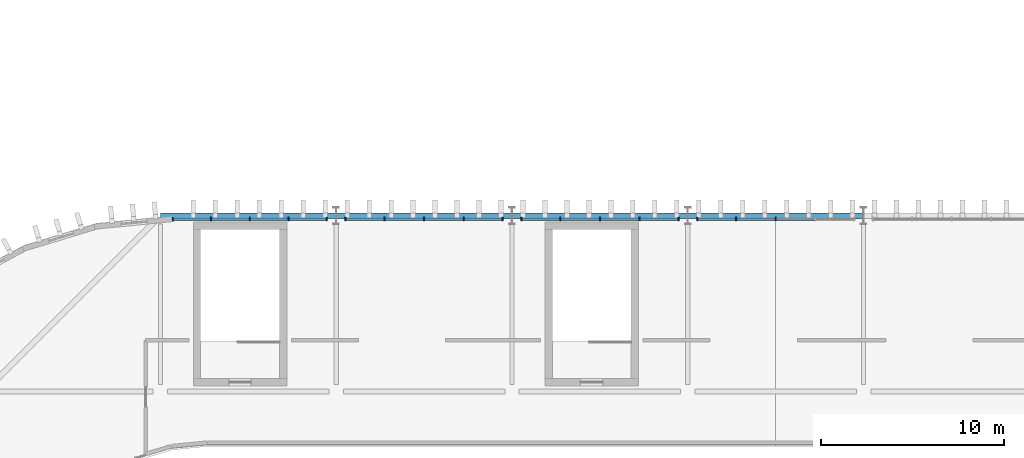
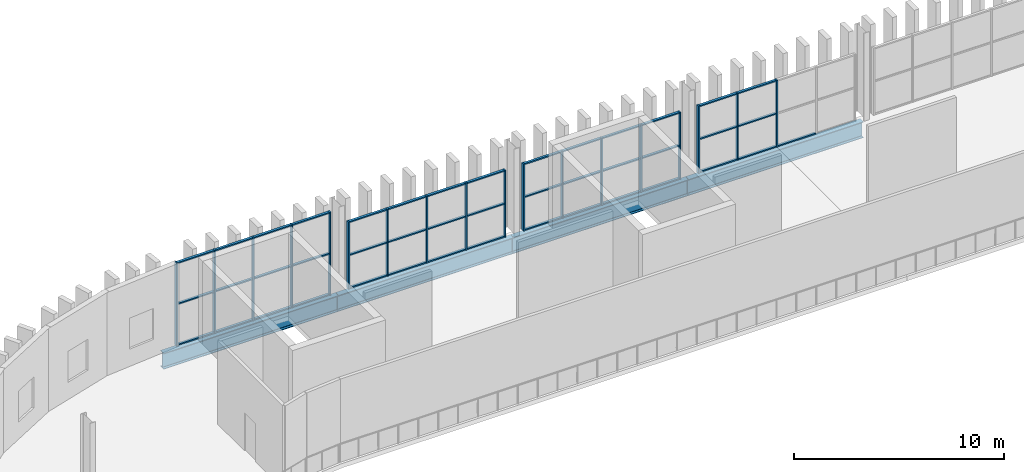
# One storey, part 19 of 45: 61 members, 4 beams, 4 elements without a shape of their own.
"""IFC4 building model written with IfcOpenShell, lengths in metres."""

from ifc_helpers import new_model, si_unit, direction, frame, origin, origin_2d, place, context, subcontext, project, spatial, rectangle, i_section, extrude, material, layer, layer_set, material_profile, profile_set, type_object, element, aggregate, save


model = new_model("IFC4")

# Units and contexts
model_context = context("Model", 3, precision=1e-05, world=origin(), true_north=direction((0.0, 1.0)))
body_context = subcontext(model_context, "Body", "Model", "MODEL_VIEW")
ifc_project = project(units=[si_unit("LENGTHUNIT", "METRE"), si_unit("AREAUNIT", "SQUARE_METRE"), si_unit("VOLUMEUNIT", "CUBIC_METRE"), si_unit("PLANEANGLEUNIT", "RADIAN"), si_unit("MASSUNIT", "GRAM", prefix="KILO")], contexts=[model_context])

# Site, building, storey
site_placement = place(None, origin())
site = spatial("IfcSite", under=ifc_project, at=site_placement, CompositionType="ELEMENT")
building_placement = place(site_placement, origin())
building = spatial("IfcBuilding", under=site, at=building_placement, Name="Caelomonte Colonnade Arena", CompositionType="ELEMENT")
storey_placement = place(building_placement, frame((0.0, 0.0, 23.10009765625)))
storey = spatial("IfcBuildingStorey", under=building, at=storey_placement, Name="L05", CompositionType="ELEMENT", Elevation=23.10009765625)

# Curtain wall, members
ifc_material_1 = material(Name="Bronze anodised aluminium and low-E glazing", Category="aluminium")
ifc_layer_1 = layer(ifc_material_1, 0.179931640625)
ifc_layer_set_1 = layer_set([ifc_layer_1], Name="Bronze anodised aluminium and low-E glazing")
curtain_wall_type_1 = type_object("IfcCurtainWallType", Name="ENV-CW-CW-L05-96-39", PredefinedType="USERDEFINED", material=ifc_layer_set_1)
curtain_wall_1_placement = place(storey_placement, origin())
curtain_wall_1 = element("IfcCurtainWall", 1, at=curtain_wall_1_placement, inside=storey, type_object=curtain_wall_type_1, Name="L05 unitized curtain wall CW-L05-1104-1150", ObjectType="UNITIZED CURTAIN WALL", PredefinedType="USERDEFINED")
ifc_material_2 = material(Name="Bronze anodised aluminium AA6063-T6", Category="aluminium")
ifc_material_profile_1 = material_profile(ifc_material_2, rectangle(XDim=0.070068359375, YDim=0.179931640625, at=origin_2d()), Name="CWM-70X180")
ifc_profile_set_1 = profile_set([ifc_material_profile_1], Name="Bronze anodised aluminium AA6063-T6")
member_type_1 = type_object("IfcMemberType", Name="ENV-CW-MULL1", PredefinedType="MULLION", material=ifc_profile_set_1)
member_1_placement = place(storey_placement, frame((110.39990234375, 115.02001953125, 0.0), z_axis=(0.0, 0.0, 1.0), x_axis=(-1.0, 0.0, 0.0)))
member_1 = element("IfcMember", 2, at=member_1_placement, type_object=member_type_1, Name="CW-L05-96-39 mullion 3", PredefinedType="MULLION", context=body_context, shape_type="SweptSolid", body=[
    extrude(rectangle(XDim=0.070068359375, YDim=0.179931640625, at=origin_2d()), origin(), (0.0, 0.0, 1.0), 3.892822265625),
])
member_2_placement = place(storey_placement, frame((108.238525390625, 115.02001953125, 0.0), z_axis=(0.0, 0.0, 1.0), x_axis=(-1.0, 0.0, 0.0)))
member_2 = element("IfcMember", 3, at=member_2_placement, type_object=member_type_1, Name="CW-L05-96-39 mullion 4", PredefinedType="MULLION", context=body_context, shape_type="SweptSolid", body=[
    extrude(rectangle(XDim=0.070068359375, YDim=0.179931640625, at=origin_2d()), origin(), (0.0, 0.0, 1.0), 3.892822265625),
])
member_3_placement = place(storey_placement, frame((106.1123046875, 115.02001953125, 0.0), z_axis=(0.0, 0.0, 1.0), x_axis=(-1.0, 0.0, 0.0)))
member_3 = element("IfcMember", 4, at=member_3_placement, type_object=member_type_1, Name="CW-L05-96-39 mullion 5", PredefinedType="MULLION", context=body_context, shape_type="SweptSolid", body=[
    extrude(rectangle(XDim=0.070068359375, YDim=0.179931640625, at=origin_2d()), origin(), (0.0, 0.0, 1.0), 3.892822265625),
])

curtain_wall_2_placement = place(storey_placement, origin())
curtain_wall_2 = element("IfcCurtainWall", 5, at=curtain_wall_2_placement, inside=storey, type_object=curtain_wall_type_1, Name="L05 unitized curtain wall CW-L05-1008-1150", ObjectType="UNITIZED CURTAIN WALL", PredefinedType="USERDEFINED")
member_4_placement = place(storey_placement, frame((105.087890625, 115.02001953125, 0.0), z_axis=(0.0, 0.0, 1.0), x_axis=(-1.0, 0.0, 0.0)))
member_4 = element("IfcMember", 6, at=member_4_placement, type_object=member_type_1, Name="CW-L05-96-39 mullion 1", PredefinedType="MULLION", context=body_context, shape_type="SweptSolid", body=[
    extrude(rectangle(XDim=0.070068359375, YDim=0.179931640625, at=origin_2d()), origin(), (0.0, 0.0, 1.0), 3.892822265625),
])
member_5_placement = place(storey_placement, frame((102.96142578125, 115.02001953125, 0.0), z_axis=(0.0, 0.0, 1.0), x_axis=(-1.0, 0.0, 0.0)))
member_5 = element("IfcMember", 7, at=member_5_placement, type_object=member_type_1, Name="CW-L05-96-39 mullion 2", PredefinedType="MULLION", context=body_context, shape_type="SweptSolid", body=[
    extrude(rectangle(XDim=0.070068359375, YDim=0.179931640625, at=origin_2d()), origin(), (0.0, 0.0, 1.0), 3.892822265625),
])
member_6_placement = place(storey_placement, frame((100.800048828125, 115.02001953125, 0.0), z_axis=(0.0, 0.0, 1.0), x_axis=(-1.0, 0.0, 0.0)))
member_6 = element("IfcMember", 8, at=member_6_placement, type_object=member_type_1, Name="CW-L05-96-39 mullion 3", PredefinedType="MULLION", context=body_context, shape_type="SweptSolid", body=[
    extrude(rectangle(XDim=0.070068359375, YDim=0.179931640625, at=origin_2d()), origin(), (0.0, 0.0, 1.0), 3.892822265625),
])
member_7_placement = place(storey_placement, frame((98.638671875, 115.02001953125, 0.0), z_axis=(0.0, 0.0, 1.0), x_axis=(-1.0, 0.0, 0.0)))
member_7 = element("IfcMember", 9, at=member_7_placement, type_object=member_type_1, Name="CW-L05-96-39 mullion 4", PredefinedType="MULLION", context=body_context, shape_type="SweptSolid", body=[
    extrude(rectangle(XDim=0.070068359375, YDim=0.179931640625, at=origin_2d()), origin(), (0.0, 0.0, 1.0), 3.892822265625),
])
member_8_placement = place(storey_placement, frame((96.51220703125, 115.02001953125, 0.0), z_axis=(0.0, 0.0, 1.0), x_axis=(-1.0, 0.0, 0.0)))
member_8 = element("IfcMember", 10, at=member_8_placement, type_object=member_type_1, Name="CW-L05-96-39 mullion 5", PredefinedType="MULLION", context=body_context, shape_type="SweptSolid", body=[
    extrude(rectangle(XDim=0.070068359375, YDim=0.179931640625, at=origin_2d()), origin(), (0.0, 0.0, 1.0), 3.892822265625),
])

curtain_wall_3_placement = place(storey_placement, origin())
curtain_wall_3 = element("IfcCurtainWall", 11, at=curtain_wall_3_placement, inside=storey, type_object=curtain_wall_type_1, Name="L05 unitized curtain wall CW-L05-0912-1150", ObjectType="UNITIZED CURTAIN WALL", PredefinedType="USERDEFINED")
member_9_placement = place(storey_placement, frame((95.48779296875, 115.02001953125, 0.0), z_axis=(0.0, 0.0, 1.0), x_axis=(-1.0, 0.0, 0.0)))
member_9 = element("IfcMember", 12, at=member_9_placement, type_object=member_type_1, Name="CW-L05-96-39 mullion 1", PredefinedType="MULLION", context=body_context, shape_type="SweptSolid", body=[
    extrude(rectangle(XDim=0.070068359375, YDim=0.179931640625, at=origin_2d()), origin(), (0.0, 0.0, 1.0), 3.892822265625),
])
member_10_placement = place(storey_placement, frame((93.361328125, 115.02001953125, 0.0), z_axis=(0.0, 0.0, 1.0), x_axis=(-1.0, 0.0, 0.0)))
member_10 = element("IfcMember", 13, at=member_10_placement, type_object=member_type_1, Name="CW-L05-96-39 mullion 2", PredefinedType="MULLION", context=body_context, shape_type="SweptSolid", body=[
    extrude(rectangle(XDim=0.070068359375, YDim=0.179931640625, at=origin_2d()), origin(), (0.0, 0.0, 1.0), 3.892822265625),
])
member_11_placement = place(storey_placement, frame((91.199951171875, 115.02001953125, 0.0), z_axis=(0.0, 0.0, 1.0), x_axis=(-1.0, 0.0, 0.0)))
member_11 = element("IfcMember", 14, at=member_11_placement, type_object=member_type_1, Name="CW-L05-96-39 mullion 3", PredefinedType="MULLION", context=body_context, shape_type="SweptSolid", body=[
    extrude(rectangle(XDim=0.070068359375, YDim=0.179931640625, at=origin_2d()), origin(), (0.0, 0.0, 1.0), 3.892822265625),
])
member_12_placement = place(storey_placement, frame((89.03857421875, 115.02001953125, 0.0), z_axis=(0.0, 0.0, 1.0), x_axis=(-1.0, 0.0, 0.0)))
member_12 = element("IfcMember", 15, at=member_12_placement, type_object=member_type_1, Name="CW-L05-96-39 mullion 4", PredefinedType="MULLION", context=body_context, shape_type="SweptSolid", body=[
    extrude(rectangle(XDim=0.070068359375, YDim=0.179931640625, at=origin_2d()), origin(), (0.0, 0.0, 1.0), 3.892822265625),
])
member_13_placement = place(storey_placement, frame((86.912109375, 115.02001953125, 0.0), z_axis=(0.0, 0.0, 1.0), x_axis=(-1.0, 0.0, 0.0)))
member_13 = element("IfcMember", 16, at=member_13_placement, type_object=member_type_1, Name="CW-L05-96-39 mullion 5", PredefinedType="MULLION", context=body_context, shape_type="SweptSolid", body=[
    extrude(rectangle(XDim=0.070068359375, YDim=0.179931640625, at=origin_2d()), origin(), (0.0, 0.0, 1.0), 3.892822265625),
])

ifc_layer_2 = layer(ifc_material_1, 0.179931640625)
ifc_layer_set_2 = layer_set([ifc_layer_2], Name="Bronze anodised aluminium and low-E glazing")
curtain_wall_type_2 = type_object("IfcCurtainWallType", Name="ENV-CW-CW-L05-91-48", PredefinedType="USERDEFINED", material=ifc_layer_set_2)
curtain_wall_4_placement = place(storey_placement, origin())
curtain_wall_4 = element("IfcCurtainWall", 17, at=curtain_wall_4_placement, inside=storey, type_object=curtain_wall_type_2, Name="L05 unitized curtain wall CW-L05-0818-1150", ObjectType="UNITIZED CURTAIN WALL", PredefinedType="USERDEFINED")
member_14_placement = place(storey_placement, frame((85.8876953125, 115.02001953125, 0.0), z_axis=(0.0, 0.0, 1.0), x_axis=(-1.0, 0.0, 0.0)))
member_14 = element("IfcMember", 18, at=member_14_placement, type_object=member_type_1, Name="CW-L05-91-48 mullion 1", PredefinedType="MULLION", context=body_context, shape_type="SweptSolid", body=[
    extrude(rectangle(XDim=0.070068359375, YDim=0.179931640625, at=origin_2d()), origin(), (0.0, 0.0, 1.0), 4.81982421875),
])
member_15_placement = place(storey_placement, frame((83.802001953125, 115.02001953125, 0.0), z_axis=(0.0, 0.0, 1.0), x_axis=(-1.0, 0.0, 0.0)))
member_15 = element("IfcMember", 19, at=member_15_placement, type_object=member_type_1, Name="CW-L05-91-48 mullion 2", PredefinedType="MULLION", context=body_context, shape_type="SweptSolid", body=[
    extrude(rectangle(XDim=0.070068359375, YDim=0.179931640625, at=origin_2d()), origin(), (0.0, 0.0, 1.0), 4.81982421875),
])
member_16_placement = place(storey_placement, frame((81.681396484375, 115.02001953125, 0.0), z_axis=(0.0, 0.0, 1.0), x_axis=(-1.0, 0.0, 0.0)))
member_16 = element("IfcMember", 20, at=member_16_placement, type_object=member_type_1, Name="CW-L05-91-48 mullion 3", PredefinedType="MULLION", context=body_context, shape_type="SweptSolid", body=[
    extrude(rectangle(XDim=0.070068359375, YDim=0.179931640625, at=origin_2d()), origin(), (0.0, 0.0, 1.0), 4.81982421875),
])
member_17_placement = place(storey_placement, frame((79.560791015625, 115.02001953125, 0.0), z_axis=(0.0, 0.0, 1.0), x_axis=(-1.0, 0.0, 0.0)))
member_17 = element("IfcMember", 21, at=member_17_placement, type_object=member_type_1, Name="CW-L05-91-48 mullion 4", PredefinedType="MULLION", context=body_context, shape_type="SweptSolid", body=[
    extrude(rectangle(XDim=0.070068359375, YDim=0.179931640625, at=origin_2d()), origin(), (0.0, 0.0, 1.0), 4.81982421875),
])
member_18_placement = place(storey_placement, frame((77.47509765625, 115.02001953125, 0.0), z_axis=(0.0, 0.0, 1.0), x_axis=(-1.0, 0.0, 0.0)))
member_18 = element("IfcMember", 22, at=member_18_placement, type_object=member_type_1, Name="CW-L05-91-48 mullion 5", PredefinedType="MULLION", context=body_context, shape_type="SweptSolid", body=[
    extrude(rectangle(XDim=0.070068359375, YDim=0.179931640625, at=origin_2d()), origin(), (0.0, 0.0, 1.0), 4.81982421875),
])

# Member
ifc_material_profile_2 = material_profile(ifc_material_2, rectangle(XDim=0.070068359375, YDim=0.139892578125, at=origin_2d()), Name="CWT-70X140")
ifc_profile_set_2 = profile_set([ifc_material_profile_2], Name="Bronze anodised aluminium AA6063-T6")
member_type_2 = type_object("IfcMemberType", Name="ENV-CW-TRAN1", PredefinedType="USERDEFINED", material=ifc_profile_set_2)
member_19_placement = place(storey_placement, frame((112.5263671875, 115.02001953125, 0.034912109375), z_axis=(-1.0, 0.0, 0.0), x_axis=(0.0, 0.0, 1.0)))
member_19 = element("IfcMember", 23, at=member_19_placement, type_object=member_type_2, Name="CW-L05-96-39 transom 2.1", ObjectType="TRANSOM", PredefinedType="USERDEFINED", context=body_context, shape_type="SweptSolid", body=[
    extrude(rectangle(XDim=0.070068359375, YDim=0.139892578125, at=origin_2d()), origin(), (0.0, 0.0, 1.0), 2.09130859375),
])

member_20_placement = place(storey_placement, frame((110.364990234375, 115.02001953125, 0.034912109375), z_axis=(-1.0, 0.0, 0.0), x_axis=(0.0, 0.0, 1.0)))
member_20 = element("IfcMember", 24, at=member_20_placement, type_object=member_type_2, Name="CW-L05-96-39 transom 3.1", ObjectType="TRANSOM", PredefinedType="USERDEFINED", context=body_context, shape_type="SweptSolid", body=[
    extrude(rectangle(XDim=0.070068359375, YDim=0.139892578125, at=origin_2d()), origin(), (0.0, 0.0, 1.0), 2.09130859375),
])

member_21_placement = place(storey_placement, frame((110.364990234375, 115.02001953125, 1.9462890625), z_axis=(-1.0, 0.0, 0.0), x_axis=(0.0, 0.0, 1.0)))
member_21 = element("IfcMember", 25, at=member_21_placement, type_object=member_type_2, Name="CW-L05-96-39 transom 3.2", ObjectType="TRANSOM", PredefinedType="USERDEFINED", context=body_context, shape_type="SweptSolid", body=[
    extrude(rectangle(XDim=0.070068359375, YDim=0.139892578125, at=origin_2d()), origin(), (0.0, 0.0, 1.0), 2.09130859375),
])

member_22_placement = place(storey_placement, frame((110.364990234375, 115.02001953125, 3.85791015625), z_axis=(-1.0, 0.0, 0.0), x_axis=(0.0, 0.0, 1.0)))
member_22 = element("IfcMember", 26, at=member_22_placement, type_object=member_type_2, Name="CW-L05-96-39 transom 3.3", ObjectType="TRANSOM", PredefinedType="USERDEFINED", context=body_context, shape_type="SweptSolid", body=[
    extrude(rectangle(XDim=0.070068359375, YDim=0.139892578125, at=origin_2d()), origin(), (0.0, 0.0, 1.0), 2.09130859375),
])

member_23_placement = place(storey_placement, frame((108.20361328125, 115.02001953125, 0.034912109375), z_axis=(-1.0, 0.0, 0.0), x_axis=(0.0, 0.0, 1.0)))
member_23 = element("IfcMember", 27, at=member_23_placement, type_object=member_type_2, Name="CW-L05-96-39 transom 4.1", ObjectType="TRANSOM", PredefinedType="USERDEFINED", context=body_context, shape_type="SweptSolid", body=[
    extrude(rectangle(XDim=0.070068359375, YDim=0.139892578125, at=origin_2d()), origin(), (0.0, 0.0, 1.0), 2.056396484375),
])

member_24_placement = place(storey_placement, frame((108.20361328125, 115.02001953125, 1.9462890625), z_axis=(-1.0, 0.0, 0.0), x_axis=(0.0, 0.0, 1.0)))
member_24 = element("IfcMember", 28, at=member_24_placement, type_object=member_type_2, Name="CW-L05-96-39 transom 4.2", ObjectType="TRANSOM", PredefinedType="USERDEFINED", context=body_context, shape_type="SweptSolid", body=[
    extrude(rectangle(XDim=0.070068359375, YDim=0.139892578125, at=origin_2d()), origin(), (0.0, 0.0, 1.0), 2.056396484375),
])

member_25_placement = place(storey_placement, frame((108.20361328125, 115.02001953125, 3.85791015625), z_axis=(-1.0, 0.0, 0.0), x_axis=(0.0, 0.0, 1.0)))
member_25 = element("IfcMember", 29, at=member_25_placement, type_object=member_type_2, Name="CW-L05-96-39 transom 4.3", ObjectType="TRANSOM", PredefinedType="USERDEFINED", context=body_context, shape_type="SweptSolid", body=[
    extrude(rectangle(XDim=0.070068359375, YDim=0.139892578125, at=origin_2d()), origin(), (0.0, 0.0, 1.0), 2.056396484375),
])

aggregate(curtain_wall_1, [member_1, member_2, member_3, member_19, member_20, member_21, member_22, member_23, member_24, member_25])

member_26_placement = place(storey_placement, frame((105.052734375, 115.02001953125, 0.034912109375), z_axis=(-1.0, 0.0, 0.0), x_axis=(0.0, 0.0, 1.0)))
member_26 = element("IfcMember", 30, at=member_26_placement, type_object=member_type_2, Name="CW-L05-96-39 transom 1.1", ObjectType="TRANSOM", PredefinedType="USERDEFINED", context=body_context, shape_type="SweptSolid", body=[
    extrude(rectangle(XDim=0.070068359375, YDim=0.139892578125, at=origin_2d()), origin(), (0.0, 0.0, 1.0), 2.056396484375),
])

member_27_placement = place(storey_placement, frame((105.052734375, 115.02001953125, 1.9462890625), z_axis=(-1.0, 0.0, 0.0), x_axis=(0.0, 0.0, 1.0)))
member_27 = element("IfcMember", 31, at=member_27_placement, type_object=member_type_2, Name="CW-L05-96-39 transom 1.2", ObjectType="TRANSOM", PredefinedType="USERDEFINED", context=body_context, shape_type="SweptSolid", body=[
    extrude(rectangle(XDim=0.070068359375, YDim=0.139892578125, at=origin_2d()), origin(), (0.0, 0.0, 1.0), 2.056396484375),
])

member_28_placement = place(storey_placement, frame((105.052734375, 115.02001953125, 3.85791015625), z_axis=(-1.0, 0.0, 0.0), x_axis=(0.0, 0.0, 1.0)))
member_28 = element("IfcMember", 32, at=member_28_placement, type_object=member_type_2, Name="CW-L05-96-39 transom 1.3", ObjectType="TRANSOM", PredefinedType="USERDEFINED", context=body_context, shape_type="SweptSolid", body=[
    extrude(rectangle(XDim=0.070068359375, YDim=0.139892578125, at=origin_2d()), origin(), (0.0, 0.0, 1.0), 2.056396484375),
])

member_29_placement = place(storey_placement, frame((102.926513671875, 115.02001953125, 0.034912109375), z_axis=(-1.0, 0.0, 0.0), x_axis=(0.0, 0.0, 1.0)))
member_29 = element("IfcMember", 33, at=member_29_placement, type_object=member_type_2, Name="CW-L05-96-39 transom 2.1", ObjectType="TRANSOM", PredefinedType="USERDEFINED", context=body_context, shape_type="SweptSolid", body=[
    extrude(rectangle(XDim=0.070068359375, YDim=0.139892578125, at=origin_2d()), origin(), (0.0, 0.0, 1.0), 2.091552734375),
])

member_30_placement = place(storey_placement, frame((102.926513671875, 115.02001953125, 1.9462890625), z_axis=(-1.0, 0.0, 0.0), x_axis=(0.0, 0.0, 1.0)))
member_30 = element("IfcMember", 34, at=member_30_placement, type_object=member_type_2, Name="CW-L05-96-39 transom 2.2", ObjectType="TRANSOM", PredefinedType="USERDEFINED", context=body_context, shape_type="SweptSolid", body=[
    extrude(rectangle(XDim=0.070068359375, YDim=0.139892578125, at=origin_2d()), origin(), (0.0, 0.0, 1.0), 2.091552734375),
])

member_31_placement = place(storey_placement, frame((102.926513671875, 115.02001953125, 3.85791015625), z_axis=(-1.0, 0.0, 0.0), x_axis=(0.0, 0.0, 1.0)))
member_31 = element("IfcMember", 35, at=member_31_placement, type_object=member_type_2, Name="CW-L05-96-39 transom 2.3", ObjectType="TRANSOM", PredefinedType="USERDEFINED", context=body_context, shape_type="SweptSolid", body=[
    extrude(rectangle(XDim=0.070068359375, YDim=0.139892578125, at=origin_2d()), origin(), (0.0, 0.0, 1.0), 2.091552734375),
])

member_32_placement = place(storey_placement, frame((100.764892578125, 115.02001953125, 0.034912109375), z_axis=(-1.0, 0.0, 0.0), x_axis=(0.0, 0.0, 1.0)))
member_32 = element("IfcMember", 36, at=member_32_placement, type_object=member_type_2, Name="CW-L05-96-39 transom 3.1", ObjectType="TRANSOM", PredefinedType="USERDEFINED", context=body_context, shape_type="SweptSolid", body=[
    extrude(rectangle(XDim=0.070068359375, YDim=0.139892578125, at=origin_2d()), origin(), (0.0, 0.0, 1.0), 2.09130859375),
])

member_33_placement = place(storey_placement, frame((100.764892578125, 115.02001953125, 1.9462890625), z_axis=(-1.0, 0.0, 0.0), x_axis=(0.0, 0.0, 1.0)))
member_33 = element("IfcMember", 37, at=member_33_placement, type_object=member_type_2, Name="CW-L05-96-39 transom 3.2", ObjectType="TRANSOM", PredefinedType="USERDEFINED", context=body_context, shape_type="SweptSolid", body=[
    extrude(rectangle(XDim=0.070068359375, YDim=0.139892578125, at=origin_2d()), origin(), (0.0, 0.0, 1.0), 2.09130859375),
])

member_34_placement = place(storey_placement, frame((100.764892578125, 115.02001953125, 3.85791015625), z_axis=(-1.0, 0.0, 0.0), x_axis=(0.0, 0.0, 1.0)))
member_34 = element("IfcMember", 38, at=member_34_placement, type_object=member_type_2, Name="CW-L05-96-39 transom 3.3", ObjectType="TRANSOM", PredefinedType="USERDEFINED", context=body_context, shape_type="SweptSolid", body=[
    extrude(rectangle(XDim=0.070068359375, YDim=0.139892578125, at=origin_2d()), origin(), (0.0, 0.0, 1.0), 2.09130859375),
])

member_35_placement = place(storey_placement, frame((98.603515625, 115.02001953125, 0.034912109375), z_axis=(-1.0, 0.0, 0.0), x_axis=(0.0, 0.0, 1.0)))
member_35 = element("IfcMember", 39, at=member_35_placement, type_object=member_type_2, Name="CW-L05-96-39 transom 4.1", ObjectType="TRANSOM", PredefinedType="USERDEFINED", context=body_context, shape_type="SweptSolid", body=[
    extrude(rectangle(XDim=0.070068359375, YDim=0.139892578125, at=origin_2d()), origin(), (0.0, 0.0, 1.0), 2.056396484375),
])

member_36_placement = place(storey_placement, frame((98.603515625, 115.02001953125, 1.9462890625), z_axis=(-1.0, 0.0, 0.0), x_axis=(0.0, 0.0, 1.0)))
member_36 = element("IfcMember", 40, at=member_36_placement, type_object=member_type_2, Name="CW-L05-96-39 transom 4.2", ObjectType="TRANSOM", PredefinedType="USERDEFINED", context=body_context, shape_type="SweptSolid", body=[
    extrude(rectangle(XDim=0.070068359375, YDim=0.139892578125, at=origin_2d()), origin(), (0.0, 0.0, 1.0), 2.056396484375),
])

member_37_placement = place(storey_placement, frame((98.603515625, 115.02001953125, 3.85791015625), z_axis=(-1.0, 0.0, 0.0), x_axis=(0.0, 0.0, 1.0)))
member_37 = element("IfcMember", 41, at=member_37_placement, type_object=member_type_2, Name="CW-L05-96-39 transom 4.3", ObjectType="TRANSOM", PredefinedType="USERDEFINED", context=body_context, shape_type="SweptSolid", body=[
    extrude(rectangle(XDim=0.070068359375, YDim=0.139892578125, at=origin_2d()), origin(), (0.0, 0.0, 1.0), 2.056396484375),
])

aggregate(curtain_wall_2, [member_4, member_5, member_6, member_7, member_8, member_26, member_27, member_28, member_29, member_30, member_31, member_32, member_33, member_34, member_35, member_36, member_37])

member_38_placement = place(storey_placement, frame((95.452880859375, 115.02001953125, 0.034912109375), z_axis=(-1.0, 0.0, 0.0), x_axis=(0.0, 0.0, 1.0)))
member_38 = element("IfcMember", 42, at=member_38_placement, type_object=member_type_2, Name="CW-L05-96-39 transom 1.1", ObjectType="TRANSOM", PredefinedType="USERDEFINED", context=body_context, shape_type="SweptSolid", body=[
    extrude(rectangle(XDim=0.070068359375, YDim=0.139892578125, at=origin_2d()), origin(), (0.0, 0.0, 1.0), 2.056396484375),
])

member_39_placement = place(storey_placement, frame((95.452880859375, 115.02001953125, 1.9462890625), z_axis=(-1.0, 0.0, 0.0), x_axis=(0.0, 0.0, 1.0)))
member_39 = element("IfcMember", 43, at=member_39_placement, type_object=member_type_2, Name="CW-L05-96-39 transom 1.2", ObjectType="TRANSOM", PredefinedType="USERDEFINED", context=body_context, shape_type="SweptSolid", body=[
    extrude(rectangle(XDim=0.070068359375, YDim=0.139892578125, at=origin_2d()), origin(), (0.0, 0.0, 1.0), 2.056396484375),
])

member_40_placement = place(storey_placement, frame((95.452880859375, 115.02001953125, 3.85791015625), z_axis=(-1.0, 0.0, 0.0), x_axis=(0.0, 0.0, 1.0)))
member_40 = element("IfcMember", 44, at=member_40_placement, type_object=member_type_2, Name="CW-L05-96-39 transom 1.3", ObjectType="TRANSOM", PredefinedType="USERDEFINED", context=body_context, shape_type="SweptSolid", body=[
    extrude(rectangle(XDim=0.070068359375, YDim=0.139892578125, at=origin_2d()), origin(), (0.0, 0.0, 1.0), 2.056396484375),
])

member_41_placement = place(storey_placement, frame((93.326416015625, 115.02001953125, 0.034912109375), z_axis=(-1.0, 0.0, 0.0), x_axis=(0.0, 0.0, 1.0)))
member_41 = element("IfcMember", 45, at=member_41_placement, type_object=member_type_2, Name="CW-L05-96-39 transom 2.1", ObjectType="TRANSOM", PredefinedType="USERDEFINED", context=body_context, shape_type="SweptSolid", body=[
    extrude(rectangle(XDim=0.070068359375, YDim=0.139892578125, at=origin_2d()), origin(), (0.0, 0.0, 1.0), 2.09130859375),
])

member_42_placement = place(storey_placement, frame((93.326416015625, 115.02001953125, 1.9462890625), z_axis=(-1.0, 0.0, 0.0), x_axis=(0.0, 0.0, 1.0)))
member_42 = element("IfcMember", 46, at=member_42_placement, type_object=member_type_2, Name="CW-L05-96-39 transom 2.2", ObjectType="TRANSOM", PredefinedType="USERDEFINED", context=body_context, shape_type="SweptSolid", body=[
    extrude(rectangle(XDim=0.070068359375, YDim=0.139892578125, at=origin_2d()), origin(), (0.0, 0.0, 1.0), 2.09130859375),
])

member_43_placement = place(storey_placement, frame((93.326416015625, 115.02001953125, 3.85791015625), z_axis=(-1.0, 0.0, 0.0), x_axis=(0.0, 0.0, 1.0)))
member_43 = element("IfcMember", 47, at=member_43_placement, type_object=member_type_2, Name="CW-L05-96-39 transom 2.3", ObjectType="TRANSOM", PredefinedType="USERDEFINED", context=body_context, shape_type="SweptSolid", body=[
    extrude(rectangle(XDim=0.070068359375, YDim=0.139892578125, at=origin_2d()), origin(), (0.0, 0.0, 1.0), 2.09130859375),
])

member_44_placement = place(storey_placement, frame((91.1650390625, 115.02001953125, 0.034912109375), z_axis=(-1.0, 0.0, 0.0), x_axis=(0.0, 0.0, 1.0)))
member_44 = element("IfcMember", 48, at=member_44_placement, type_object=member_type_2, Name="CW-L05-96-39 transom 3.1", ObjectType="TRANSOM", PredefinedType="USERDEFINED", context=body_context, shape_type="SweptSolid", body=[
    extrude(rectangle(XDim=0.070068359375, YDim=0.139892578125, at=origin_2d()), origin(), (0.0, 0.0, 1.0), 2.091552734375),
])

member_45_placement = place(storey_placement, frame((91.1650390625, 115.02001953125, 1.9462890625), z_axis=(-1.0, 0.0, 0.0), x_axis=(0.0, 0.0, 1.0)))
member_45 = element("IfcMember", 49, at=member_45_placement, type_object=member_type_2, Name="CW-L05-96-39 transom 3.2", ObjectType="TRANSOM", PredefinedType="USERDEFINED", context=body_context, shape_type="SweptSolid", body=[
    extrude(rectangle(XDim=0.070068359375, YDim=0.139892578125, at=origin_2d()), origin(), (0.0, 0.0, 1.0), 2.091552734375),
])

member_46_placement = place(storey_placement, frame((91.1650390625, 115.02001953125, 3.85791015625), z_axis=(-1.0, 0.0, 0.0), x_axis=(0.0, 0.0, 1.0)))
member_46 = element("IfcMember", 50, at=member_46_placement, type_object=member_type_2, Name="CW-L05-96-39 transom 3.3", ObjectType="TRANSOM", PredefinedType="USERDEFINED", context=body_context, shape_type="SweptSolid", body=[
    extrude(rectangle(XDim=0.070068359375, YDim=0.139892578125, at=origin_2d()), origin(), (0.0, 0.0, 1.0), 2.091552734375),
])

member_47_placement = place(storey_placement, frame((89.003662109375, 115.02001953125, 0.034912109375), z_axis=(-1.0, 0.0, 0.0), x_axis=(0.0, 0.0, 1.0)))
member_47 = element("IfcMember", 51, at=member_47_placement, type_object=member_type_2, Name="CW-L05-96-39 transom 4.1", ObjectType="TRANSOM", PredefinedType="USERDEFINED", context=body_context, shape_type="SweptSolid", body=[
    extrude(rectangle(XDim=0.070068359375, YDim=0.139892578125, at=origin_2d()), origin(), (0.0, 0.0, 1.0), 2.056396484375),
])

member_48_placement = place(storey_placement, frame((89.003662109375, 115.02001953125, 1.9462890625), z_axis=(-1.0, 0.0, 0.0), x_axis=(0.0, 0.0, 1.0)))
member_48 = element("IfcMember", 52, at=member_48_placement, type_object=member_type_2, Name="CW-L05-96-39 transom 4.2", ObjectType="TRANSOM", PredefinedType="USERDEFINED", context=body_context, shape_type="SweptSolid", body=[
    extrude(rectangle(XDim=0.070068359375, YDim=0.139892578125, at=origin_2d()), origin(), (0.0, 0.0, 1.0), 2.056396484375),
])

member_49_placement = place(storey_placement, frame((89.003662109375, 115.02001953125, 3.85791015625), z_axis=(-1.0, 0.0, 0.0), x_axis=(0.0, 0.0, 1.0)))
member_49 = element("IfcMember", 53, at=member_49_placement, type_object=member_type_2, Name="CW-L05-96-39 transom 4.3", ObjectType="TRANSOM", PredefinedType="USERDEFINED", context=body_context, shape_type="SweptSolid", body=[
    extrude(rectangle(XDim=0.070068359375, YDim=0.139892578125, at=origin_2d()), origin(), (0.0, 0.0, 1.0), 2.056396484375),
])

aggregate(curtain_wall_3, [member_9, member_10, member_11, member_12, member_13, member_38, member_39, member_40, member_41, member_42, member_43, member_44, member_45, member_46, member_47, member_48, member_49])

member_50_placement = place(storey_placement, frame((85.852783203125, 115.02001953125, 0.034912109375), z_axis=(-1.0, 0.0, 0.0), x_axis=(0.0, 0.0, 1.0)))
member_50 = element("IfcMember", 54, at=member_50_placement, type_object=member_type_2, Name="CW-L05-91-48 transom 1.1", ObjectType="TRANSOM", PredefinedType="USERDEFINED", context=body_context, shape_type="SweptSolid", body=[
    extrude(rectangle(XDim=0.070068359375, YDim=0.139892578125, at=origin_2d()), origin(), (0.0, 0.0, 1.0), 2.015625),
])

member_51_placement = place(storey_placement, frame((85.852783203125, 115.02001953125, 2.409912109375), z_axis=(-1.0, 0.0, 0.0), x_axis=(0.0, 0.0, 1.0)))
member_51 = element("IfcMember", 55, at=member_51_placement, type_object=member_type_2, Name="CW-L05-91-48 transom 1.2", ObjectType="TRANSOM", PredefinedType="USERDEFINED", context=body_context, shape_type="SweptSolid", body=[
    extrude(rectangle(XDim=0.070068359375, YDim=0.139892578125, at=origin_2d()), origin(), (0.0, 0.0, 1.0), 2.015625),
])

member_52_placement = place(storey_placement, frame((85.852783203125, 115.02001953125, 4.784912109375), z_axis=(-1.0, 0.0, 0.0), x_axis=(0.0, 0.0, 1.0)))
member_52 = element("IfcMember", 56, at=member_52_placement, type_object=member_type_2, Name="CW-L05-91-48 transom 1.3", ObjectType="TRANSOM", PredefinedType="USERDEFINED", context=body_context, shape_type="SweptSolid", body=[
    extrude(rectangle(XDim=0.070068359375, YDim=0.139892578125, at=origin_2d()), origin(), (0.0, 0.0, 1.0), 2.015625),
])

member_53_placement = place(storey_placement, frame((83.76708984375, 115.02001953125, 0.034912109375), z_axis=(-1.0, 0.0, 0.0), x_axis=(0.0, 0.0, 1.0)))
member_53 = element("IfcMember", 57, at=member_53_placement, type_object=member_type_2, Name="CW-L05-91-48 transom 2.1", ObjectType="TRANSOM", PredefinedType="USERDEFINED", context=body_context, shape_type="SweptSolid", body=[
    extrude(rectangle(XDim=0.070068359375, YDim=0.139892578125, at=origin_2d()), origin(), (0.0, 0.0, 1.0), 2.05078125),
])

member_54_placement = place(storey_placement, frame((83.76708984375, 115.02001953125, 2.409912109375), z_axis=(-1.0, 0.0, 0.0), x_axis=(0.0, 0.0, 1.0)))
member_54 = element("IfcMember", 58, at=member_54_placement, type_object=member_type_2, Name="CW-L05-91-48 transom 2.2", ObjectType="TRANSOM", PredefinedType="USERDEFINED", context=body_context, shape_type="SweptSolid", body=[
    extrude(rectangle(XDim=0.070068359375, YDim=0.139892578125, at=origin_2d()), origin(), (0.0, 0.0, 1.0), 2.05078125),
])

member_55_placement = place(storey_placement, frame((83.76708984375, 115.02001953125, 4.784912109375), z_axis=(-1.0, 0.0, 0.0), x_axis=(0.0, 0.0, 1.0)))
member_55 = element("IfcMember", 59, at=member_55_placement, type_object=member_type_2, Name="CW-L05-91-48 transom 2.3", ObjectType="TRANSOM", PredefinedType="USERDEFINED", context=body_context, shape_type="SweptSolid", body=[
    extrude(rectangle(XDim=0.070068359375, YDim=0.139892578125, at=origin_2d()), origin(), (0.0, 0.0, 1.0), 2.05078125),
])

member_56_placement = place(storey_placement, frame((81.646484375, 115.02001953125, 0.034912109375), z_axis=(-1.0, 0.0, 0.0), x_axis=(0.0, 0.0, 1.0)))
member_56 = element("IfcMember", 60, at=member_56_placement, type_object=member_type_2, Name="CW-L05-91-48 transom 3.1", ObjectType="TRANSOM", PredefinedType="USERDEFINED", context=body_context, shape_type="SweptSolid", body=[
    extrude(rectangle(XDim=0.070068359375, YDim=0.139892578125, at=origin_2d()), origin(), (0.0, 0.0, 1.0), 2.05078125),
])

member_57_placement = place(storey_placement, frame((81.646484375, 115.02001953125, 2.409912109375), z_axis=(-1.0, 0.0, 0.0), x_axis=(0.0, 0.0, 1.0)))
member_57 = element("IfcMember", 61, at=member_57_placement, type_object=member_type_2, Name="CW-L05-91-48 transom 3.2", ObjectType="TRANSOM", PredefinedType="USERDEFINED", context=body_context, shape_type="SweptSolid", body=[
    extrude(rectangle(XDim=0.070068359375, YDim=0.139892578125, at=origin_2d()), origin(), (0.0, 0.0, 1.0), 2.05078125),
])

member_58_placement = place(storey_placement, frame((81.646484375, 115.02001953125, 4.784912109375), z_axis=(-1.0, 0.0, 0.0), x_axis=(0.0, 0.0, 1.0)))
member_58 = element("IfcMember", 62, at=member_58_placement, type_object=member_type_2, Name="CW-L05-91-48 transom 3.3", ObjectType="TRANSOM", PredefinedType="USERDEFINED", context=body_context, shape_type="SweptSolid", body=[
    extrude(rectangle(XDim=0.070068359375, YDim=0.139892578125, at=origin_2d()), origin(), (0.0, 0.0, 1.0), 2.05078125),
])

member_59_placement = place(storey_placement, frame((79.525634765625, 115.02001953125, 0.034912109375), z_axis=(-1.0, 0.0, 0.0), x_axis=(0.0, 0.0, 1.0)))
member_59 = element("IfcMember", 63, at=member_59_placement, type_object=member_type_2, Name="CW-L05-91-48 transom 4.1", ObjectType="TRANSOM", PredefinedType="USERDEFINED", context=body_context, shape_type="SweptSolid", body=[
    extrude(rectangle(XDim=0.070068359375, YDim=0.139892578125, at=origin_2d()), origin(), (0.0, 0.0, 1.0), 2.015625),
])

member_60_placement = place(storey_placement, frame((79.525634765625, 115.02001953125, 2.409912109375), z_axis=(-1.0, 0.0, 0.0), x_axis=(0.0, 0.0, 1.0)))
member_60 = element("IfcMember", 64, at=member_60_placement, type_object=member_type_2, Name="CW-L05-91-48 transom 4.2", ObjectType="TRANSOM", PredefinedType="USERDEFINED", context=body_context, shape_type="SweptSolid", body=[
    extrude(rectangle(XDim=0.070068359375, YDim=0.139892578125, at=origin_2d()), origin(), (0.0, 0.0, 1.0), 2.015625),
])

member_61_placement = place(storey_placement, frame((79.525634765625, 115.02001953125, 4.784912109375), z_axis=(-1.0, 0.0, 0.0), x_axis=(0.0, 0.0, 1.0)))
member_61 = element("IfcMember", 65, at=member_61_placement, type_object=member_type_2, Name="CW-L05-91-48 transom 4.3", ObjectType="TRANSOM", PredefinedType="USERDEFINED", context=body_context, shape_type="SweptSolid", body=[
    extrude(rectangle(XDim=0.070068359375, YDim=0.139892578125, at=origin_2d()), origin(), (0.0, 0.0, 1.0), 2.015625),
])

aggregate(curtain_wall_4, [member_14, member_15, member_16, member_17, member_18, member_50, member_51, member_52, member_53, member_54, member_55, member_56, member_57, member_58, member_59, member_60, member_61])

# Beams
ifc_material_3 = material(Name="Wide-flange steel ASTM A992 Grade 50", Category="steel")
ifc_material_profile_3 = material_profile(ifc_material_3, i_section(OverallWidth=0.307861328125, OverallDepth=0.927001953125, WebThickness=0.019287109375, FlangeThickness=0.031982421875, FilletRadius=0.020263671875, at=origin_2d()), Name="W36X194")
ifc_profile_set_3 = profile_set([ifc_material_profile_3], Name="Wide-flange steel ASTM A992 Grade 50")
beam_type = type_object("IfcBeamType", Name="STR-BM-EAVES2", PredefinedType="SPANDREL", material=ifc_profile_set_3)
for number, where, z_axis, x_axis, name in (
    (66, (76.8095703125, 115.199951171875, -0.7236328125), (1.0, 0.0, 0.0), (0.0, 1.0, 0.0), "L05 girder BMX-L05-0768-1152"),
    (67, (86.40966796875, 115.199951171875, -0.7236328125), (1.0, 0.0, 0.0), (0.0, 1.0, 0.0), "L05 girder BMX-L05-0864-1152"),
    (68, (96.009521484375, 115.199951171875, -0.7236328125), (1.0, 0.0, 0.0), (0.0, 1.0, 0.0), "L05 girder BMX-L05-0960-1152"),
    (69, (105.609619140625, 115.199951171875, -0.7236328125), (1.0, 0.0, 0.0), (0.0, 1.0, 0.0), "L05 girder BMX-L05-1056-1152"),
):
    element("IfcBeam", number, at=place(storey_placement, frame(where, z_axis=z_axis, x_axis=x_axis)), inside=storey, type_object=beam_type, Name=name, PredefinedType="SPANDREL", context=body_context, shape_type="SweptSolid", body=[
        extrude(i_section(OverallWidth=0.307861328125, OverallDepth=0.927001953125, WebThickness=0.019287109375, FlangeThickness=0.031982421875, FilletRadius=0.020263671875, at=origin_2d()), origin(), (0.0, 0.0, 1.0), 9.580810546875),
    ])

save(model, "model.ifc")
